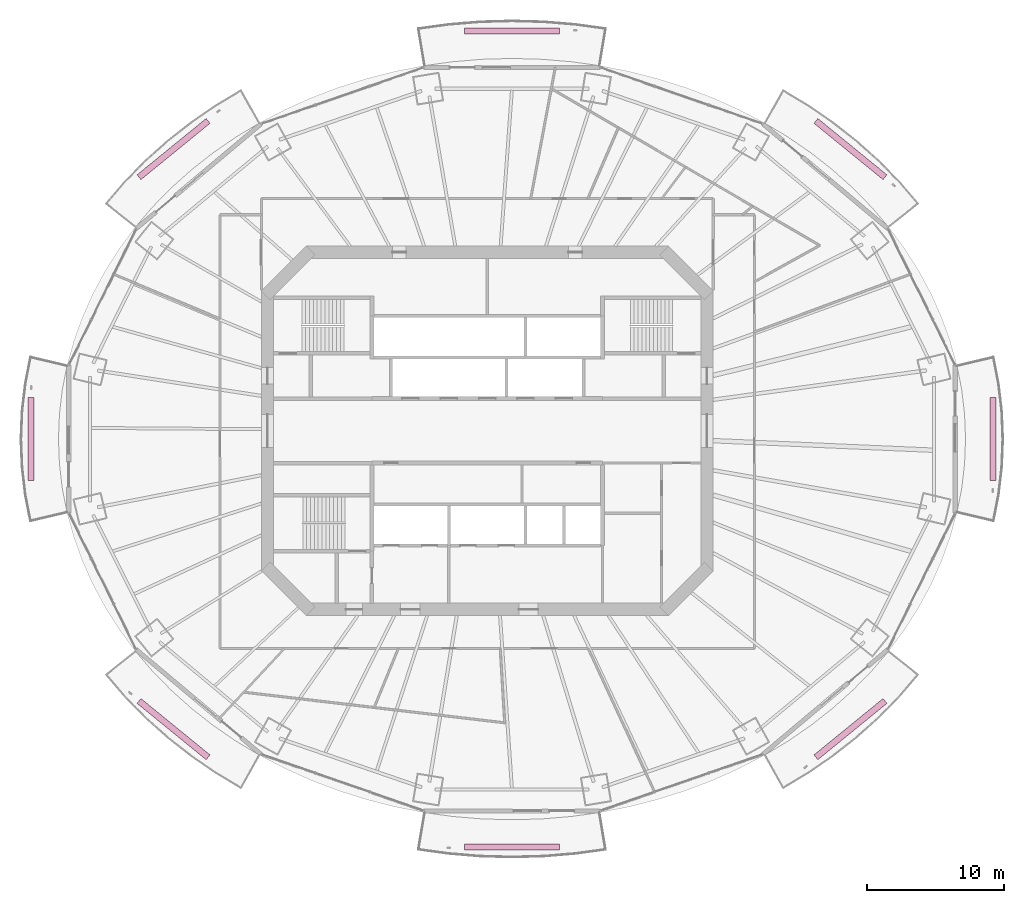
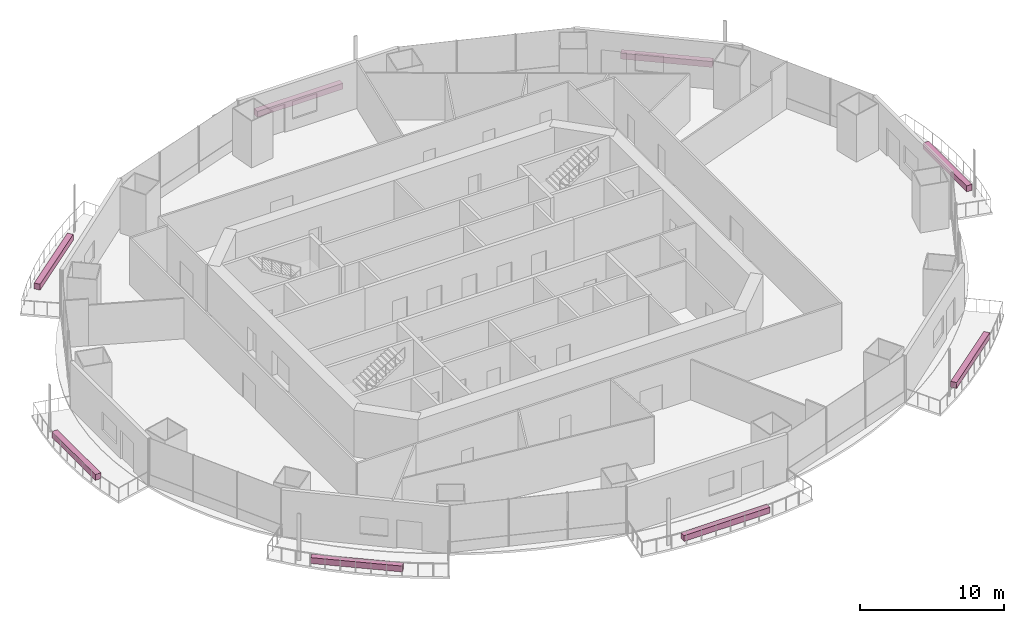
# One storey, part 21 of 21: 8 furnishings.
"""IFC4 building model written with IfcOpenShell, lengths in metres."""

from ifc_helpers import new_model, si_unit, direction, frame, origin, origin_2d, place, context, subcontext, project, spatial, rectangle, extrude, material, type_object, element, save


model = new_model("IFC4")

# Units and contexts
model_context = context("Model", 3, precision=1e-05, world=origin(), true_north=direction((0.0, 1.0)))
body_context = subcontext(model_context, "Body", "Model", "MODEL_VIEW")
ifc_project = project(units=[si_unit("LENGTHUNIT", "METRE"), si_unit("AREAUNIT", "SQUARE_METRE"), si_unit("VOLUMEUNIT", "CUBIC_METRE"), si_unit("PLANEANGLEUNIT", "RADIAN"), si_unit("MASSUNIT", "GRAM", prefix="KILO")], contexts=[model_context])

# Site, building, storey
site_placement = place(None, origin())
site = spatial("IfcSite", under=ifc_project, at=site_placement, CompositionType="ELEMENT")
building_placement = place(site_placement, origin())
building = spatial("IfcBuilding", under=site, at=building_placement, Name="Marenthal Gate Tower", CompositionType="ELEMENT")
storey_placement = place(building_placement, frame((0.0, 0.0, 165.199951171875)))
storey = spatial("IfcBuildingStorey", under=building, at=storey_placement, Name="L35", CompositionType="ELEMENT", Elevation=165.199951171875)

# Furnishings
ifc_material = material(Name="Planting soil and foliage", Category="planting")
furnishing_element_type = type_object("IfcFurnishingElementType", Name="Balcony PLANTER trough", material=ifc_material)
furnishing_1_placement = place(storey_placement, frame((26.439453125, 20.515869140625, -0.0400390625), z_axis=(0.0, 0.0, 1.0), x_axis=(-0.775240196289, 0.631666556071, 0.0)))
element("IfcFurnishingElement", 1, at=furnishing_1_placement, inside=storey, type_object=furnishing_element_type, Name="Balcony PLANTER L35 bay 2", ObjectType="PLANTER", context=body_context, shape_type="SweptSolid", body=[
    extrude(rectangle(XDim=6.4853515625, YDim=0.449951171875, at=origin_2d()), origin(), (0.0, 0.0, 1.0), 0.5),
])
furnishing_2_placement = place(storey_placement, frame((1.800048828125, 29.10693359375, -0.0400390625), z_axis=(0.0, 0.0, 1.0), x_axis=(-1.0, 0.0, 0.0)))
element("IfcFurnishingElement", 2, at=furnishing_2_placement, inside=storey, type_object=furnishing_element_type, Name="Balcony PLANTER L35 bay 4", ObjectType="PLANTER", context=body_context, shape_type="SweptSolid", body=[
    extrude(rectangle(XDim=6.90283203125, YDim=0.449951171875, at=origin_2d()), origin(), (0.0, 0.0, 1.0), 0.5),
])
furnishing_3_placement = place(storey_placement, frame((-22.839599609375, 20.515869140625, -0.0400390625), z_axis=(0.0, 0.0, 1.0), x_axis=(-0.775240196289, -0.631666556071, 0.0)))
element("IfcFurnishingElement", 3, at=furnishing_3_placement, inside=storey, type_object=furnishing_element_type, Name="Balcony PLANTER L35 bay 6", ObjectType="PLANTER", context=body_context, shape_type="SweptSolid", body=[
    extrude(rectangle(XDim=6.4853515625, YDim=0.449951171875, at=origin_2d()), origin(), (0.0, 0.0, 1.0), 0.5),
])
furnishing_4_placement = place(storey_placement, frame((-33.214111328125, -0.60009765625, -0.0400390625), z_axis=(0.0, 0.0, 1.0), x_axis=(0.0, -1.0, 0.0)))
element("IfcFurnishingElement", 4, at=furnishing_4_placement, inside=storey, type_object=furnishing_element_type, Name="Balcony PLANTER L35 bay 8", ObjectType="PLANTER", context=body_context, shape_type="SweptSolid", body=[
    extrude(rectangle(XDim=6.052001953125, YDim=0.449951171875, at=origin_2d()), origin(), (0.0, 0.0, 1.0), 0.5),
])
furnishing_5_placement = place(storey_placement, frame((-22.839599609375, -21.716064453125, -0.0400390625), z_axis=(0.0, 0.0, 1.0), x_axis=(0.775240196289, -0.631666556071, 0.0)))
element("IfcFurnishingElement", 5, at=furnishing_5_placement, inside=storey, type_object=furnishing_element_type, Name="Balcony PLANTER L35 bay 10", ObjectType="PLANTER", context=body_context, shape_type="SweptSolid", body=[
    extrude(rectangle(XDim=6.4853515625, YDim=0.449951171875, at=origin_2d()), origin(), (0.0, 0.0, 1.0), 0.5),
])
furnishing_6_placement = place(storey_placement, frame((1.800048828125, -30.306884765625, -0.0400390625), z_axis=(0.0, 0.0, 1.0), x_axis=(1.0, 0.0, 0.0)))
element("IfcFurnishingElement", 6, at=furnishing_6_placement, inside=storey, type_object=furnishing_element_type, Name="Balcony PLANTER L35 bay 12", ObjectType="PLANTER", context=body_context, shape_type="SweptSolid", body=[
    extrude(rectangle(XDim=6.90283203125, YDim=0.449951171875, at=origin_2d()), origin(), (0.0, 0.0, 1.0), 0.5),
])
furnishing_7_placement = place(storey_placement, frame((26.439453125, -21.716064453125, -0.0400390625), z_axis=(0.0, 0.0, 1.0), x_axis=(0.775240196289, 0.631666556071, 0.0)))
element("IfcFurnishingElement", 7, at=furnishing_7_placement, inside=storey, type_object=furnishing_element_type, Name="Balcony PLANTER L35 bay 14", ObjectType="PLANTER", context=body_context, shape_type="SweptSolid", body=[
    extrude(rectangle(XDim=6.4853515625, YDim=0.449951171875, at=origin_2d()), origin(), (0.0, 0.0, 1.0), 0.5),
])
furnishing_8_placement = place(storey_placement, frame((36.81396484375, -0.60009765625, -0.0400390625), z_axis=(0.0, 0.0, 1.0), x_axis=(0.0, 1.0, 0.0)))
element("IfcFurnishingElement", 8, at=furnishing_8_placement, inside=storey, type_object=furnishing_element_type, Name="Balcony PLANTER L35 bay 16", ObjectType="PLANTER", context=body_context, shape_type="SweptSolid", body=[
    extrude(rectangle(XDim=6.052001953125, YDim=0.449951171875, at=origin_2d()), origin(), (0.0, 0.0, 1.0), 0.5),
])

save(model, "model.ifc")
